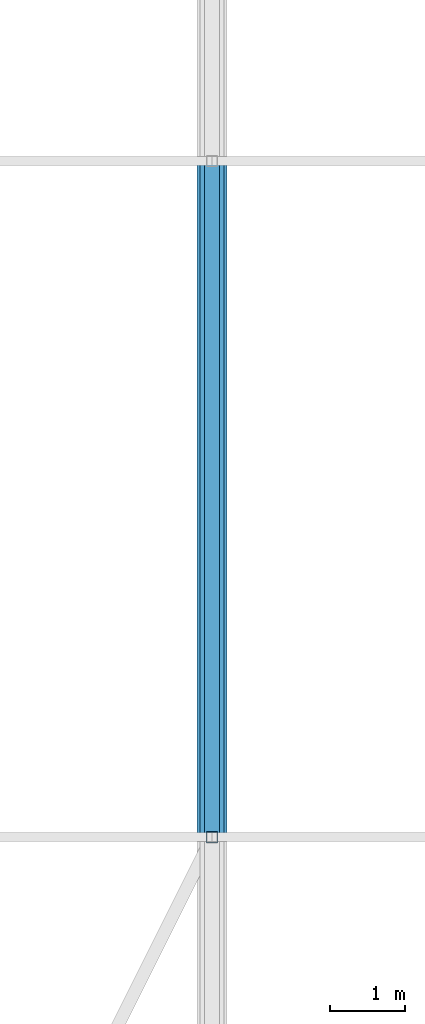
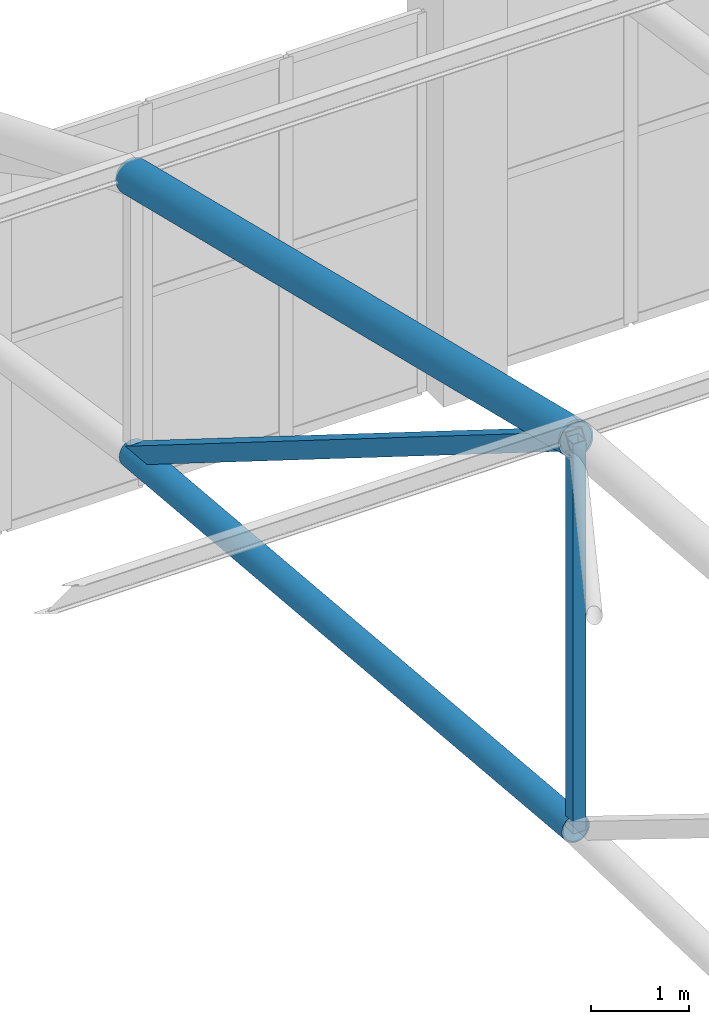
# One storey, part 122 of 223: 4 members.
"""IFC4 building model written with IfcOpenShell, lengths in metres."""

from ifc_helpers import new_model, si_unit, direction, frame, origin, origin_2d, place, context, subcontext, project, spatial, hollow_rectangle, hollow_circle, extrude, material, material_profile, profile_set, type_object, element, save


model = new_model("IFC4")

# Units and contexts
model_context = context("Model", 3, precision=1e-05, world=origin(), true_north=direction((0.0, 1.0)))
body_context = subcontext(model_context, "Body", "Model", "MODEL_VIEW")
ifc_project = project(units=[si_unit("LENGTHUNIT", "METRE"), si_unit("AREAUNIT", "SQUARE_METRE"), si_unit("VOLUMEUNIT", "CUBIC_METRE"), si_unit("PLANEANGLEUNIT", "RADIAN"), si_unit("MASSUNIT", "GRAM", prefix="KILO")], contexts=[model_context])

# Site, building, storey
site_placement = place(None, origin())
site = spatial("IfcSite", under=ifc_project, at=site_placement, CompositionType="ELEMENT")
building_placement = place(site_placement, origin())
building = spatial("IfcBuilding", under=site, at=building_placement, Name="Dornveld Trade and Exhibition Forum", CompositionType="ELEMENT")
storey_placement = place(building_placement, frame((0.0, 0.0, 6.0)))
storey = spatial("IfcBuildingStorey", under=building, at=storey_placement, Name="L01", CompositionType="ELEMENT", Elevation=6.0)

# Members
ifc_material_1 = material(Name="Steel S355J2", Category="steel")
ifc_material_profile_1 = material_profile(ifc_material_1, hollow_circle(Radius=0.161865234375, WallThickness=0.01611328125, at=origin_2d()), Name="CHS 323.9x16")
ifc_profile_set_1 = profile_set([ifc_material_profile_1], Name="Steel S355J2")
member_type_1 = type_object("IfcMemberType", Name="MEM-ARCH-BC", PredefinedType="CHORD", material=ifc_profile_set_1)
member_1_placement = place(storey_placement, frame((108.0, 144.0, 8.4833984375), z_axis=(0.0, 0.996072164085, -0.088545151956), x_axis=(-1.0, 0.0, 0.0)))
element("IfcMember", 1, at=member_1_placement, inside=storey, type_object=member_type_1, Name="H1 truss 2 tie chord 5", PredefinedType="CHORD", context=body_context, shape_type="SweptSolid", body=[
    extrude(hollow_circle(Radius=0.161865234375, WallThickness=0.01611328125, at=origin_2d()), origin(), (0.0, 0.0, 1.0), 9.035400390625),
])
ifc_material_2 = material(Name="Steel S355J2", Category="steel")
ifc_material_profile_2 = material_profile(ifc_material_2, hollow_rectangle(XDim=0.14990234375, YDim=0.14990234375, WallThickness=0.008056640625, at=origin_2d()), Name="SHS 150x150x8")
ifc_profile_set_2 = profile_set([ifc_material_profile_2], Name="Steel S355J2")
member_type_2 = type_object("IfcMemberType", Name="MEM-ARCH-STR", PredefinedType="STRUT", material=ifc_profile_set_2)
member_2_placement = place(storey_placement, frame((108.0, 144.0, 8.4833984375), z_axis=(0.0, 0.0, 1.0), x_axis=(1.0, 0.0, 0.0)))
element("IfcMember", 2, at=member_2_placement, inside=storey, type_object=member_type_2, Name="H1 truss 2 strut 5", PredefinedType="STRUT", context=body_context, shape_type="SweptSolid", body=[
    extrude(hollow_rectangle(XDim=0.14990234375, YDim=0.14990234375, WallThickness=0.008056640625, at=origin_2d()), origin(), (0.0, 0.0, 1.0), 4.833251953125),
])
ifc_material_3 = material(Name="Steel S355J2", Category="steel")
ifc_material_profile_3 = material_profile(ifc_material_3, hollow_circle(Radius=0.203125, WallThickness=0.02001953125, at=origin_2d()), Name="CHS 406.4x20")
ifc_profile_set_3 = profile_set([ifc_material_profile_3], Name="Steel S355J2")
member_type_3 = type_object("IfcMemberType", Name="MEM-ARCH-TC", PredefinedType="CHORD", material=ifc_profile_set_3)
member_3_placement = place(storey_placement, frame((108.0, 144.0, 13.316650390625), z_axis=(0.0, 0.971400222114, -0.237448117444), x_axis=(-1.0, 0.0, 0.0)))
element("IfcMember", 3, at=member_3_placement, inside=storey, type_object=member_type_3, Name="H1 truss 2 top chord 5", PredefinedType="CHORD", context=body_context, shape_type="SweptSolid", body=[
    extrude(hollow_circle(Radius=0.203125, WallThickness=0.02001953125, at=origin_2d()), origin(), (0.0, 0.0, 1.0), 9.264892578125),
])
ifc_material_4 = material(Name="Steel S355J2", Category="steel")
ifc_material_profile_4 = material_profile(ifc_material_4, hollow_rectangle(XDim=0.199951171875, YDim=0.199951171875, WallThickness=0.010009765625, at=origin_2d()), Name="SHS 200x200x10")
ifc_profile_set_4 = profile_set([ifc_material_profile_4], Name="Steel S355J2")
member_type_4 = type_object("IfcMemberType", Name="MEM-ARCH-WEB", PredefinedType="BRACE", material=ifc_profile_set_4)
member_4_placement = place(storey_placement, frame((108.0, 153.0, 7.683349609375), z_axis=(0.0, -0.847646750348, 0.530561011218), x_axis=(1.0, 0.0, 0.0)))
element("IfcMember", 4, at=member_4_placement, inside=storey, type_object=member_type_4, Name="H1 truss 2 web 5", PredefinedType="BRACE", context=body_context, shape_type="SweptSolid", body=[
    extrude(hollow_rectangle(XDim=0.199951171875, YDim=0.199951171875, WallThickness=0.010009765625, at=origin_2d()), origin(), (0.0, 0.0, 1.0), 10.61767578125),
])

save(model, "model.ifc")
